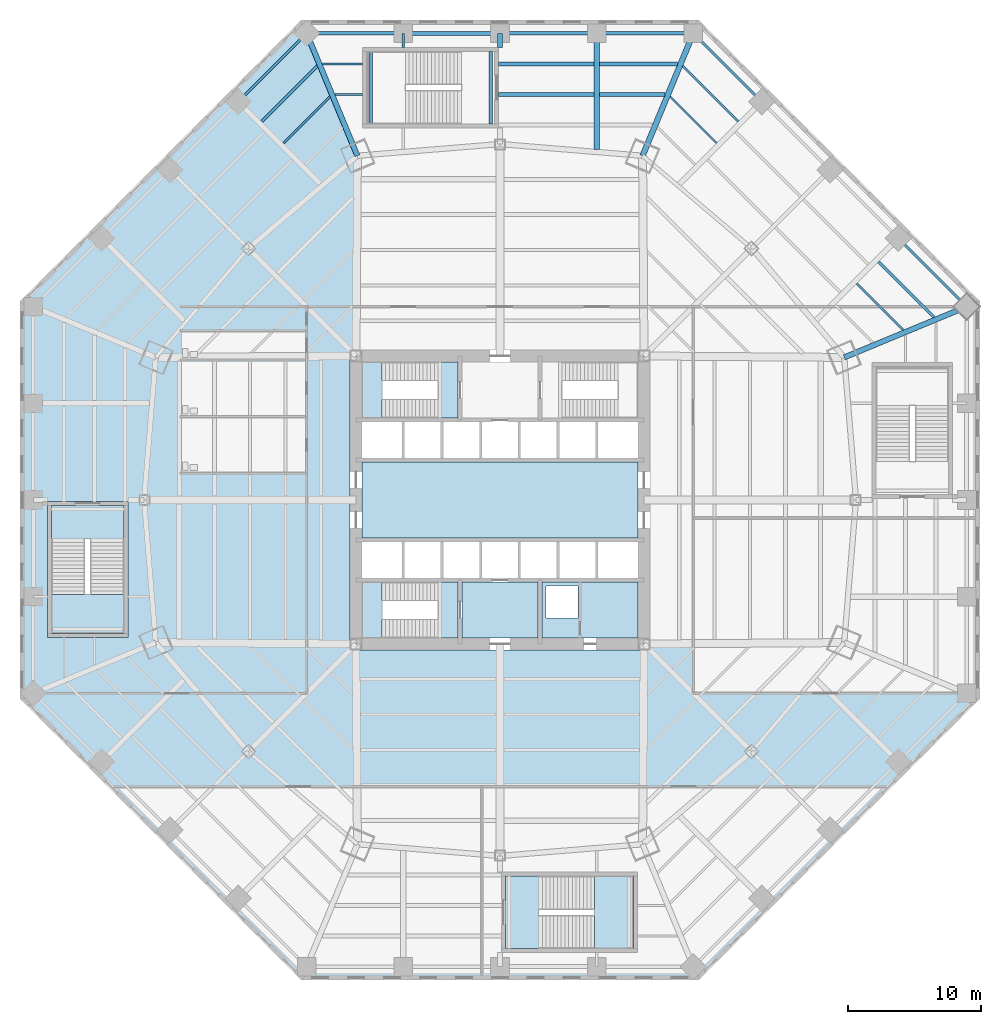
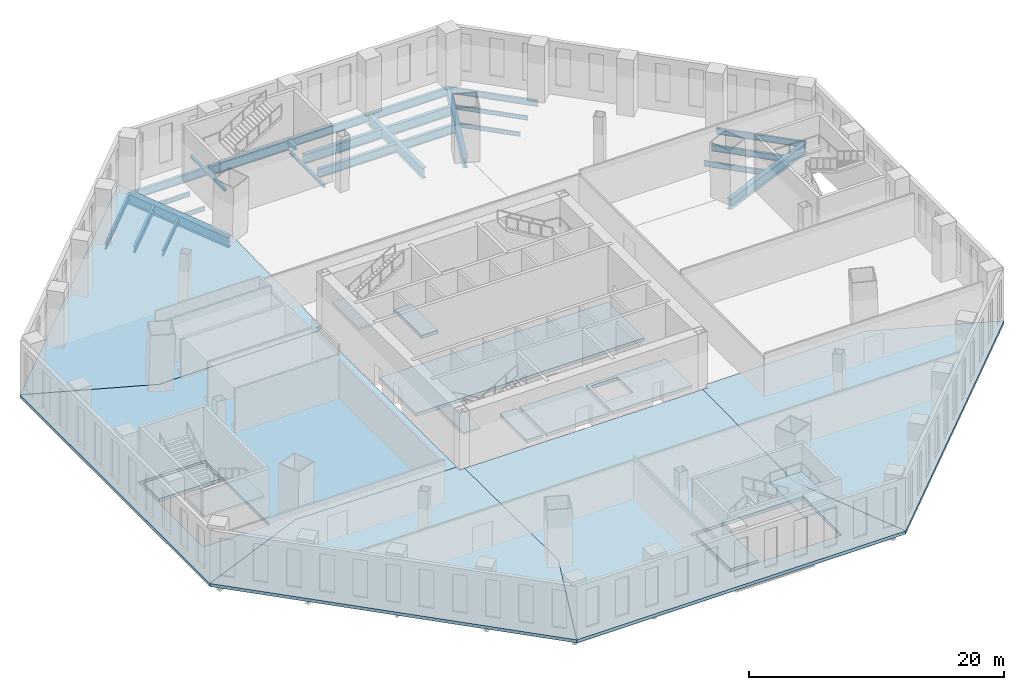
# One storey, part 6 of 18: 25 beams, 16 slabs, 2 members, 4 elements without a shape of their own.
"""IFC4 building model written with IfcOpenShell, lengths in metres."""

from ifc_helpers import new_model, si_unit, direction, frame, origin, origin_2d, place, context, subcontext, project, spatial, polyline, i_section, outline, extrude, source, transform, mapped, material, layer, layer_set, material_profile, profile_set, type_object, type_shapes, element, aggregate, save


model = new_model("IFC4")

# Units and contexts
model_context = context("Model", 3, precision=1e-05, world=origin(), true_north=direction((0.0, 1.0)))
body_context = subcontext(model_context, "Body", "Model", "MODEL_VIEW")
ifc_project = project(units=[si_unit("LENGTHUNIT", "METRE"), si_unit("AREAUNIT", "SQUARE_METRE"), si_unit("VOLUMEUNIT", "CUBIC_METRE"), si_unit("PLANEANGLEUNIT", "RADIAN"), si_unit("MASSUNIT", "GRAM", prefix="KILO")], contexts=[model_context])

# Site, building, storey
site_placement = place(None, origin())
site = spatial("IfcSite", under=ifc_project, at=site_placement, CompositionType="ELEMENT")
building_placement = place(site_placement, origin())
building = spatial("IfcBuilding", under=site, at=building_placement, Name="Mashrafa Tower", CompositionType="ELEMENT")
storey_placement = place(building_placement, frame((0.0, 0.0, 18.60009765625)))
storey = spatial("IfcBuildingStorey", under=building, at=storey_placement, Name="L03", CompositionType="ELEMENT", Elevation=18.60009765625)

# Beams
ifc_material_1 = material(Name="Steel ASTM A992", Category="steel")
ifc_material_profile_1 = material_profile(ifc_material_1, i_section(OverallWidth=0.140380859375, OverallDepth=0.40380859375, WebThickness=0.007080078125, FlangeThickness=0.01123046875, FilletRadius=0.01025390625, at=origin_2d()), Name="W16X31")
ifc_profile_set_1 = profile_set([ifc_material_profile_1], Name="Steel ASTM A992")
beam_type_1 = type_object("IfcBeamType", Name="Beam W16X31", PredefinedType="BEAM", material=ifc_profile_set_1)
beam_1_placement = place(storey_placement, frame((12.75634765625, 30.2490234375, -0.501953125), z_axis=(0.707106781187, -0.707106781187, 0.0), x_axis=(0.707106781187, 0.707106781187, 0.0)))
element("IfcBeam", 1, at=beam_1_placement, inside=storey, type_object=beam_type_1, Name="Floor beam L03 081", PredefinedType="BEAM", context=body_context, shape_type="SweptSolid", body=[
    extrude(i_section(OverallWidth=0.140380859375, OverallDepth=0.40380859375, WebThickness=0.007080078125, FlangeThickness=0.01123046875, FilletRadius=0.01025390625, at=origin_2d()), origin(), (0.0, 0.0, 1.0), 4.919677734375),
])
beam_2_placement = place(storey_placement, frame((13.70703125, 32.544189453125, -0.501953125), z_axis=(0.707127575081, -0.707085986681, 0.0), x_axis=(0.707085986681, 0.707127575081, 0.0)))
element("IfcBeam", 2, at=beam_2_placement, inside=storey, type_object=beam_type_1, Name="Floor beam L03 087", PredefinedType="BEAM", context=body_context, shape_type="SweptSolid", body=[
    extrude(i_section(OverallWidth=0.140380859375, OverallDepth=0.40380859375, WebThickness=0.007080078125, FlangeThickness=0.01123046875, FilletRadius=0.01025390625, at=origin_2d()), origin(), (0.0, 0.0, 1.0), 5.870361328125),
])
ifc_material_2 = material(Name="Steel ASTM A992", Category="steel")
ifc_material_profile_2 = material_profile(ifc_material_2, i_section(OverallWidth=0.177734375, OverallDepth=0.406494140625, WebThickness=0.0078125, FlangeThickness=0.012939453125, FilletRadius=0.01025390625, at=origin_2d()), Name="W16X40")
ifc_profile_set_2 = profile_set([ifc_material_profile_2], Name="Steel ASTM A992")
beam_type_2 = type_object("IfcBeamType", Name="Beam W16X40", PredefinedType="BEAM", material=ifc_profile_set_2)
beam_3_placement = place(storey_placement, frame((-13.32958984375, 32.70458984375, -0.50341796875), z_axis=(1.0, 0.0, 0.0), x_axis=(0.0, 1.0, 0.0)))
element("IfcBeam", 3, at=beam_3_placement, inside=storey, type_object=beam_type_2, Name="Floor beam L03 039", PredefinedType="BEAM", context=body_context, shape_type="SweptSolid", body=[
    extrude(i_section(OverallWidth=0.177734375, OverallDepth=0.406494140625, WebThickness=0.0078125, FlangeThickness=0.012939453125, FilletRadius=0.01025390625, at=origin_2d()), origin(), (0.0, 0.0, 1.0), 3.029541015625),
])
beam_4_placement = place(storey_placement, frame((-12.37890625, 30.409423828125, -0.50341796875), z_axis=(1.0, 0.0, 0.0), x_axis=(0.0, 1.0, 0.0)))
element("IfcBeam", 4, at=beam_4_placement, inside=storey, type_object=beam_type_2, Name="Floor beam L03 045", PredefinedType="BEAM", context=body_context, shape_type="SweptSolid", body=[
    extrude(i_section(OverallWidth=0.177734375, OverallDepth=0.406494140625, WebThickness=0.0078125, FlangeThickness=0.012939453125, FilletRadius=0.01025390625, at=origin_2d()), origin(), (0.0, 0.0, 1.0), 2.078857421875),
])
ifc_material_3 = material(Name="Steel ASTM A992", Category="steel")
ifc_material_profile_3 = material_profile(ifc_material_3, i_section(OverallWidth=0.165771484375, OverallDepth=0.5283203125, WebThickness=0.009765625, FlangeThickness=0.013671875, FilletRadius=0.012939453125, at=origin_2d()), Name="W21X50")
ifc_profile_set_3 = profile_set([ifc_material_profile_3], Name="Steel ASTM A992")
beam_type_3 = type_object("IfcBeamType", Name="Beam W21X50", PredefinedType="BEAM", material=ifc_profile_set_3)
for number, where, z_axis, x_axis, name in (
    (5, (-16.235107421875, 26.770263671875, -0.564208984375), (0.707106781187, 0.707106781187, 0.0), (-0.707106781187, 0.707106781187, 0.0), "Floor beam L03 030"),
    (6, (26.770263671875, 16.235107421875, -0.564208984375), (0.707106781187, -0.707106781187, 0.0), (0.707106781187, 0.707106781187, 0.0), "Floor beam L03 114"),
):
    element("IfcBeam", number, at=place(storey_placement, frame(where, z_axis=z_axis, x_axis=x_axis)), inside=storey, type_object=beam_type_3, Name=name, PredefinedType="BEAM", context=body_context, shape_type="SweptSolid", body=[
        extrude(i_section(OverallWidth=0.165771484375, OverallDepth=0.5283203125, WebThickness=0.009765625, FlangeThickness=0.013671875, FilletRadius=0.012939453125, at=origin_2d()), origin(), (0.0, 0.0, 1.0), 4.929443359375),
    ])
ifc_material_4 = material(Name="Steel ASTM A992", Category="steel")
ifc_material_profile_4 = material_profile(ifc_material_4, i_section(OverallWidth=0.177978515625, OverallDepth=0.599365234375, WebThickness=0.010009765625, FlangeThickness=0.012939453125, FilletRadius=0.012939453125, at=origin_2d()), Name="W24X55")
ifc_profile_set_4 = profile_set([ifc_material_profile_4], Name="Steel ASTM A992")
beam_type_4 = type_object("IfcBeamType", Name="Beam W24X55", PredefinedType="BEAM", material=ifc_profile_set_4)
for number, where, z_axis, x_axis, name in (
    (7, (-14.49755859375, 35.0, -0.599853515625), (-0.707106781187, -0.707106781187, 0.0), (0.707106781187, -0.707106781187, 0.0), "Podium edge beam L03 137"),
    (8, (19.623046875, 29.87451171875, -0.599853515625), (-0.707106781187, 0.707106781187, 0.0), (-0.707106781187, -0.707106781187, 0.0), "Podium edge beam L03 147"),
    (9, (35.0, 14.49755859375, -0.599853515625), (-0.707106781187, 0.707106781187, 0.0), (-0.707106781187, -0.707106781187, 0.0), "Podium edge beam L03 156"),
):
    element("IfcBeam", number, at=place(storey_placement, frame(where, z_axis=z_axis, x_axis=x_axis)), inside=storey, type_object=beam_type_4, Name=name, PredefinedType="BEAM", context=body_context, shape_type="SweptSolid", body=[
        extrude(i_section(OverallWidth=0.177978515625, OverallDepth=0.599365234375, WebThickness=0.010009765625, FlangeThickness=0.012939453125, FilletRadius=0.012939453125, at=origin_2d()), origin(), (0.0, 0.0, 1.0), 7.24853515625),
    ])
ifc_material_5 = material(Name="Steel ASTM A992", Category="steel")
ifc_material_profile_5 = material_profile(ifc_material_5, i_section(OverallWidth=0.227783203125, OverallDepth=0.60205078125, WebThickness=0.010498046875, FlangeThickness=0.014892578125, FilletRadius=0.012939453125, at=origin_2d()), Name="W24X68")
ifc_profile_set_5 = profile_set([ifc_material_profile_5], Name="Steel ASTM A992")
beam_type_5 = type_object("IfcBeamType", Name="Beam W24X68", PredefinedType="BEAM", material=ifc_profile_set_5)
for number, where, z_axis, x_axis, name in (
    (10, (-17.858154296875, 28.393310546875, -0.60107421875), (0.707127540894, 0.707086020869, 0.0), (-0.707086020869, 0.707127540894, 0.0), "Floor beam L03 026"),
    (11, (28.393310546875, 17.858154296875, -0.60107421875), (0.707086020869, -0.707127540894, 0.0), (0.707127540894, 0.707086020869, 0.0), "Floor beam L03 118"),
):
    element("IfcBeam", number, at=place(storey_placement, frame(where, z_axis=z_axis, x_axis=x_axis)), inside=storey, type_object=beam_type_5, Name=name, PredefinedType="BEAM", context=body_context, shape_type="SweptSolid", body=[
        extrude(i_section(OverallWidth=0.227783203125, OverallDepth=0.60205078125, WebThickness=0.010498046875, FlangeThickness=0.014892578125, FilletRadius=0.012939453125, at=origin_2d()), origin(), (0.0, 0.0, 1.0), 5.880126953125),
    ])
ifc_material_6 = material(Name="Steel ASTM A992", Category="steel")
ifc_material_profile_6 = material_profile(ifc_material_6, i_section(OverallWidth=0.2666015625, OverallDepth=0.75439453125, WebThickness=0.01318359375, FlangeThickness=0.01708984375, FilletRadius=0.0166015625, at=origin_2d()), Name="W30X99")
ifc_profile_set_6 = profile_set([ifc_material_profile_6], Name="Steel ASTM A992")
beam_type_6 = type_object("IfcBeamType", Name="Beam W30X99", PredefinedType="BEAM", material=ifc_profile_set_6)
for number, where, z_axis, x_axis, name in (
    (12, (-7.248779296875, 35.0, -0.67724609375), (-1.0, 0.0, 0.0), (0.0, -1.0, 0.0), "Podium edge beam L03 139"),
    (13, (7.248779296875, 35.0, -0.67724609375), (-1.0, 0.0, 0.0), (0.0, -1.0, 0.0), "Podium edge beam L03 143"),
    (14, (14.49755859375, 35.0, -0.67724609375), (-1.0, 0.0, 0.0), (0.0, -1.0, 0.0), "Podium edge beam L03 145"),
):
    element("IfcBeam", number, at=place(storey_placement, frame(where, z_axis=z_axis, x_axis=x_axis)), inside=storey, type_object=beam_type_6, Name=name, PredefinedType="BEAM", context=body_context, shape_type="SweptSolid", body=[
        extrude(i_section(OverallWidth=0.2666015625, OverallDepth=0.75439453125, WebThickness=0.01318359375, FlangeThickness=0.01708984375, FilletRadius=0.0166015625, at=origin_2d()), origin(), (0.0, 0.0, 1.0), 7.248779296875),
    ])
ifc_material_7 = material(Name="Steel ASTM A992", Category="steel")
ifc_material_profile_7 = material_profile(ifc_material_7, i_section(OverallWidth=0.2919921875, OverallDepth=0.8583984375, WebThickness=0.01708984375, FlangeThickness=0.031005859375, FilletRadius=0.017822265625, at=origin_2d()), Name="W33X169")
ifc_profile_set_7 = profile_set([ifc_material_profile_7], Name="Steel ASTM A992")
beam_type_7 = type_object("IfcBeamType", Name="Beam W33X169", PredefinedType="BEAM", material=ifc_profile_set_7)
beam_5_placement = place(storey_placement, frame((-0.10009765625, 30.409423828125, -0.729248046875), z_axis=(1.0, 0.0, 0.0), x_axis=(0.0, 1.0, 0.0)))
element("IfcBeam", 15, at=beam_5_placement, inside=storey, type_object=beam_type_7, Name="Floor beam L03 056 part 1", PredefinedType="BEAM", context=body_context, shape_type="SweptSolid", body=[
    extrude(i_section(OverallWidth=0.2919921875, OverallDepth=0.8583984375, WebThickness=0.01708984375, FlangeThickness=0.031005859375, FilletRadius=0.017822265625, at=origin_2d()), origin(), (0.0, 0.0, 1.0), 7.148193359375),
])
beam_6_placement = place(storey_placement, frame((7.449462890625, 30.409423828125, -0.729248046875), z_axis=(1.0, 0.0, 0.0), x_axis=(0.0, 1.0, 0.0)))
element("IfcBeam", 16, at=beam_6_placement, inside=storey, type_object=beam_type_7, Name="Floor beam L03 056 part 2", PredefinedType="BEAM", context=body_context, shape_type="SweptSolid", body=[
    extrude(i_section(OverallWidth=0.2919921875, OverallDepth=0.8583984375, WebThickness=0.01708984375, FlangeThickness=0.031005859375, FilletRadius=0.017822265625, at=origin_2d()), origin(), (0.0, 0.0, 1.0), 4.919677734375),
])
ifc_material_8 = material(Name="Steel ASTM A992", Category="steel")
ifc_material_profile_8 = material_profile(ifc_material_8, i_section(OverallWidth=0.3046875, OverallDepth=0.911865234375, WebThickness=0.015869140625, FlangeThickness=0.02392578125, FilletRadius=0.01904296875, at=origin_2d()), Name="W36X150")
ifc_profile_set_8 = profile_set([ifc_material_profile_8], Name="Steel ASTM A992")
beam_type_8 = type_object("IfcBeamType", Name="Beam W36X150", PredefinedType="BEAM", material=ifc_profile_set_8)
beam_7_placement = place(storey_placement, frame((0.0, 35.0, -0.756103515625), z_axis=(-1.0, 0.0, 0.0), x_axis=(0.0, -1.0, 0.0)))
element("IfcBeam", 17, at=beam_7_placement, inside=storey, type_object=beam_type_8, Name="Podium edge beam L03 141", PredefinedType="BEAM", context=body_context, shape_type="SweptSolid", body=[
    extrude(i_section(OverallWidth=0.3046875, OverallDepth=0.911865234375, WebThickness=0.015869140625, FlangeThickness=0.02392578125, FilletRadius=0.01904296875, at=origin_2d()), origin(), (0.0, 0.0, 1.0), 7.248779296875),
])
ifc_material_9 = material(Name="Steel ASTM A992", Category="steel")
ifc_material_profile_9 = material_profile(ifc_material_9, i_section(OverallWidth=0.307373046875, OverallDepth=0.927001953125, WebThickness=0.01953125, FlangeThickness=0.031982421875, FilletRadius=0.01904296875, at=origin_2d()), Name="W36X194")
ifc_profile_set_9 = profile_set([ifc_material_profile_9], Name="Steel ASTM A992")
beam_type_9 = type_object("IfcBeamType", Name="Beam W36X194", PredefinedType="BEAM", material=ifc_profile_set_9)
beam_8_placement = place(storey_placement, frame((-0.10009765625, 32.70458984375, -0.763671875), z_axis=(1.0, 0.0, 0.0), x_axis=(0.0, 1.0, 0.0)))
element("IfcBeam", 18, at=beam_8_placement, inside=storey, type_object=beam_type_9, Name="Floor beam L03 057 part 1", PredefinedType="BEAM", context=body_context, shape_type="SweptSolid", body=[
    extrude(i_section(OverallWidth=0.307373046875, OverallDepth=0.927001953125, WebThickness=0.01953125, FlangeThickness=0.031982421875, FilletRadius=0.01904296875, at=origin_2d()), origin(), (0.0, 0.0, 1.0), 7.148193359375),
])
beam_9_placement = place(storey_placement, frame((7.449462890625, 32.70458984375, -0.763671875), z_axis=(1.0, 0.0, 0.0), x_axis=(0.0, 1.0, 0.0)))
element("IfcBeam", 19, at=beam_9_placement, inside=storey, type_object=beam_type_9, Name="Floor beam L03 057 part 2", PredefinedType="BEAM", context=body_context, shape_type="SweptSolid", body=[
    extrude(i_section(OverallWidth=0.307373046875, OverallDepth=0.927001953125, WebThickness=0.01953125, FlangeThickness=0.031982421875, FilletRadius=0.01904296875, at=origin_2d()), origin(), (0.0, 0.0, 1.0), 5.87060546875),
])
ifc_material_10 = material(Name="Steel ASTM A992", Category="steel")
ifc_material_profile_10 = material_profile(ifc_material_10, i_section(OverallWidth=0.419189453125, OverallDepth=0.927001953125, WebThickness=0.019287109375, FlangeThickness=0.031982421875, FilletRadius=0.020263671875, at=origin_2d()), Name="W36X231")
ifc_profile_set_10 = profile_set([ifc_material_profile_10], Name="Steel ASTM A992")
beam_type_10 = type_object("IfcBeamType", Name="Beam W36X231", PredefinedType="BEAM", material=ifc_profile_set_10)
beam_10_placement = place(storey_placement, frame((10.694580078125, 25.81884765625, -0.763671875), z_axis=(0.382685210022, 0.92387879618, 0.0), x_axis=(-0.92387879618, 0.382685210022, 0.0)))
element("IfcBeam", 20, at=beam_10_placement, inside=storey, type_object=beam_type_10, Name="Podium radial beam L03 183", PredefinedType="BEAM", context=body_context, shape_type="SweptSolid", body=[
    extrude(i_section(OverallWidth=0.419189453125, OverallDepth=0.927001953125, WebThickness=0.019287109375, FlangeThickness=0.031982421875, FilletRadius=0.020263671875, at=origin_2d()), origin(), (0.0, 0.0, 1.0), 9.9375),
])
ifc_material_11 = material(Name="Steel ASTM A992", Category="steel")
ifc_material_profile_11 = material_profile(ifc_material_11, i_section(OverallWidth=0.4013671875, OverallDepth=0.98291015625, WebThickness=0.0166015625, FlangeThickness=0.027099609375, FilletRadius=0.0126953125, at=origin_2d()), Name="W40X199")
ifc_profile_set_11 = profile_set([ifc_material_profile_11], Name="Steel ASTM A992")
beam_type_11 = type_object("IfcBeamType", Name="Beam W40X199", PredefinedType="BEAM", material=ifc_profile_set_11)
beam_11_placement = place(storey_placement, frame((7.248779296875, 26.302978515625, -0.79150390625), z_axis=(0.0, 1.0, 0.0), x_axis=(-1.0, 0.0, 0.0)))
element("IfcBeam", 21, at=beam_11_placement, inside=storey, type_object=beam_type_11, Name="Podium radial beam L03 181", PredefinedType="BEAM", context=body_context, shape_type="SweptSolid", body=[
    extrude(i_section(OverallWidth=0.4013671875, OverallDepth=0.98291015625, WebThickness=0.0166015625, FlangeThickness=0.027099609375, FilletRadius=0.0126953125, at=origin_2d()), origin(), (0.0, 0.0, 1.0), 8.697021484375),
])
ifc_material_12 = material(Name="Steel ASTM A992", Category="steel")
ifc_material_profile_12 = material_profile(ifc_material_12, i_section(OverallWidth=0.4013671875, OverallDepth=1.010986328125, WebThickness=0.023681640625, FlangeThickness=0.0419921875, FilletRadius=0.02001953125, at=origin_2d()), Name="W40X297")
ifc_profile_set_12 = profile_set([ifc_material_profile_12], Name="Steel ASTM A992")
beam_type_12 = type_object("IfcBeamType", Name="Beam W40X297", PredefinedType="BEAM", material=ifc_profile_set_12)
for number, where, z_axis, x_axis, name in (
    (22, (-10.694580078125, 25.81884765625, -0.8056640625), (-0.382685210022, 0.92387879618, 0.0), (-0.92387879618, -0.382685210022, 0.0), "Podium radial beam L03 171"),
    (23, (25.81884765625, 10.694580078125, -0.8056640625), (0.92387879618, 0.382685210022, 0.0), (-0.382685210022, 0.92387879618, 0.0), "Podium radial beam L03 191"),
):
    element("IfcBeam", number, at=place(storey_placement, frame(where, z_axis=z_axis, x_axis=x_axis)), inside=storey, type_object=beam_type_12, Name=name, PredefinedType="BEAM", context=body_context, shape_type="SweptSolid", body=[
        extrude(i_section(OverallWidth=0.4013671875, OverallDepth=1.010986328125, WebThickness=0.023681640625, FlangeThickness=0.0419921875, FilletRadius=0.02001953125, at=origin_2d()), origin(), (0.0, 0.0, 1.0), 9.9375),
    ])
ifc_material_13 = material(Name="Steel ASTM A992", Category="steel")
ifc_material_profile_13 = material_profile(ifc_material_13, i_section(OverallWidth=0.25390625, OverallDepth=0.25390625, WebThickness=0.008544921875, FlangeThickness=0.01416015625, FilletRadius=0.010009765625, at=origin_2d()), Name="W10X49")
ifc_profile_set_13 = profile_set([ifc_material_profile_13], Name="Steel ASTM A992")
beam_type_13 = type_object("IfcBeamType", Name="Hoistway beam W10X49", PredefinedType="BEAM", material=ifc_profile_set_13)
for number, where, z_axis, x_axis, name in (
    (24, (-0.699951171875, 28.199951171875, -0.427001953125), (0.0, 1.0, 0.0), (-1.0, 0.0, 0.0), "Stair P2 landing beam L03"),
    (25, (-9.699951171875, 28.199951171875, 2.372802734375), (0.0, 1.0, 0.0), (-1.0, 0.0, 0.0), "Stair P2 landing beam L03"),
):
    element("IfcBeam", number, at=place(storey_placement, frame(where, z_axis=z_axis, x_axis=x_axis)), inside=storey, type_object=beam_type_13, Name=name, PredefinedType="BEAM", context=body_context, shape_type="SweptSolid", body=[
        extrude(i_section(OverallWidth=0.25390625, OverallDepth=0.25390625, WebThickness=0.008544921875, FlangeThickness=0.01416015625, FilletRadius=0.010009765625, at=origin_2d()), origin(), (0.0, 0.0, 1.0), 5.449951171875),
    ])

# Members
ifc_material_14 = material(Name="Steel ASTM A992", Category="steel")
ifc_material_profile_14 = material_profile(ifc_material_14, i_section(OverallWidth=0.177978515625, OverallDepth=0.599365234375, WebThickness=0.010009765625, FlangeThickness=0.012939453125, FilletRadius=0.012939453125, at=origin_2d()), Name="W24X55")
ifc_profile_set_14 = profile_set([ifc_material_profile_14], Name="Steel ASTM A992")
member_type_1 = type_object("IfcMemberType", Name="Tie strut W24X55", PredefinedType="STRUT", material=ifc_profile_set_14)
shared_shape_1 = source(origin(), body_context, "Body", "SweptSolid", [
    extrude(i_section(OverallWidth=0.177978515625, OverallDepth=0.599365234375, WebThickness=0.010009765625, FlangeThickness=0.012939453125, FilletRadius=0.012939453125, at=origin_2d()), origin(), (0.0, 0.0, 1.0), 1.050048828125),
])
type_shapes(member_type_1, [shared_shape_1])
member_1_placement = place(storey_placement, frame((-7.248779296875, 33.949951171875, -0.599853515625), z_axis=(0.0, 1.0, 0.0), x_axis=(-1.0, 0.0, 0.0)))
element("IfcMember", 26, at=member_1_placement, inside=storey, type_object=member_type_1, Name="Tie strut L03 174", PredefinedType="STRUT", context=body_context, shape_type="MappedRepresentation", body=[
    mapped(shared_shape_1, transform((0.0, 0.0, 0.0))),
])
ifc_material_15 = material(Name="Steel ASTM A992", Category="steel")
ifc_material_profile_15 = material_profile(ifc_material_15, i_section(OverallWidth=0.368408203125, OverallDepth=0.355712890625, WebThickness=0.01123046875, FlangeThickness=0.01806640625, FilletRadius=0.01513671875, at=origin_2d()), Name="W14X90")
ifc_profile_set_15 = profile_set([ifc_material_profile_15], Name="Steel ASTM A992")
member_type_2 = type_object("IfcMemberType", Name="Tie strut W14X90", PredefinedType="STRUT", material=ifc_profile_set_15)
shared_shape_2 = source(origin(), body_context, "Body", "SweptSolid", [
    extrude(i_section(OverallWidth=0.368408203125, OverallDepth=0.355712890625, WebThickness=0.01123046875, FlangeThickness=0.01806640625, FilletRadius=0.01513671875, at=origin_2d()), origin(), (0.0, 0.0, 1.0), 1.050048828125),
])
type_shapes(member_type_2, [shared_shape_2])
member_2_placement = place(storey_placement, frame((0.0, 33.949951171875, -0.477783203125), z_axis=(0.0, 1.0, 0.0), x_axis=(-1.0, 0.0, 0.0)))
element("IfcMember", 27, at=member_2_placement, inside=storey, type_object=member_type_2, Name="Tie strut L03 178", PredefinedType="STRUT", context=body_context, shape_type="MappedRepresentation", body=[
    mapped(shared_shape_2, transform((0.0, 0.0, 0.0))),
])

# Slabs
ifc_material_16 = material(Name="Concrete C35/45", Category="concrete")
ifc_layer_1 = layer(ifc_material_16, 0.300048828125)
ifc_layer_set_1 = layer_set([ifc_layer_1], Name="Floor slab 300")
slab_type_1 = type_object("IfcSlabType", Name="Floor slab 300", PredefinedType="FLOOR", material=ifc_layer_set_1)
slab_1_placement = place(storey_placement, frame((0.0, 0.0, -0.300048828125)))
element("IfcSlab", 28, at=slab_1_placement, inside=storey, type_object=slab_type_1, Name="Floor slab L03 north-west bay", PredefinedType="FLOOR", context=body_context, shape_type="SweptSolid", body=[
    extrude(outline(polyline([(-14.91162109375, 36.0), (-14.49755859375, 35.0), (-10.694580078125, 25.81884765625), (-10.796875, 11.25), (-11.25, 11.25), (-11.25, 10.796875), (-25.81884765625, 10.694580078125), (-35.0, 14.49755859375), (-36.0, 14.91162109375), (-14.91162109375, 36.0)])), origin(), (0.0, 0.0, 1.0), 0.300048828125),
])
slab_2_placement = place(storey_placement, frame((0.0, 0.0, -0.300048828125)))
element("IfcSlab", 29, at=slab_2_placement, inside=storey, type_object=slab_type_1, Name="Floor slab L03 west bay", PredefinedType="FLOOR", context=body_context, shape_type="SweptSolid", body=[
    extrude(outline(polyline([(-36.0, -14.91162109375), (-36.0, 14.91162109375), (-36.0, 14.91162109375), (-35.0, 14.49755859375), (-25.81884765625, 10.694580078125), (-11.25, 10.796875), (-11.25, -10.796875), (-25.81884765625, -10.694580078125), (-35.0, -14.49755859375), (-36.0, -14.91162109375), (-36.0, -14.91162109375)]), holes=[polyline([(-27.89990234375, -10.300048828125), (-27.89990234375, -0.10009765625), (-33.949951171875, -0.10009765625), (-33.949951171875, -10.300048828125), (-27.89990234375, -10.300048828125)])]), origin(), (0.0, 0.0, 1.0), 0.300048828125),
])
slab_3_placement = place(storey_placement, frame((0.0, 0.0, -0.300048828125)))
element("IfcSlab", 30, at=slab_3_placement, inside=storey, type_object=slab_type_1, Name="Floor slab L03 south-west bay", PredefinedType="FLOOR", context=body_context, shape_type="SweptSolid", body=[
    extrude(outline(polyline([(-36.0, -14.91162109375), (-35.0, -14.49755859375), (-25.81884765625, -10.694580078125), (-11.25, -10.796875), (-11.25, -11.25), (-10.796875, -11.25), (-10.694580078125, -25.81884765625), (-14.49755859375, -35.0), (-14.91162109375, -36.0), (-36.0, -14.91162109375)])), origin(), (0.0, 0.0, 1.0), 0.300048828125),
])
slab_4_placement = place(storey_placement, frame((0.0, 0.0, -0.300048828125)))
element("IfcSlab", 31, at=slab_4_placement, inside=storey, type_object=slab_type_1, Name="Floor slab L03 south bay", PredefinedType="FLOOR", context=body_context, shape_type="SweptSolid", body=[
    extrude(outline(polyline([(-14.91162109375, -36.0), (-14.91162109375, -36.0), (-14.49755859375, -35.0), (-10.694580078125, -25.81884765625), (-10.796875, -11.25), (10.796875, -11.25), (10.694580078125, -25.81884765625), (14.49755859375, -35.0), (14.91162109375, -36.0), (14.91162109375, -36.0), (-14.91162109375, -36.0)]), holes=[polyline([(10.300048828125, -33.949951171875), (10.300048828125, -27.89990234375), (0.10009765625, -27.89990234375), (0.10009765625, -33.949951171875), (10.300048828125, -33.949951171875)])]), origin(), (0.0, 0.0, 1.0), 0.300048828125),
])
slab_5_placement = place(storey_placement, frame((0.0, 0.0, -0.300048828125)))
element("IfcSlab", 32, at=slab_5_placement, inside=storey, type_object=slab_type_1, Name="Floor slab L03 south-east bay", PredefinedType="FLOOR", context=body_context, shape_type="SweptSolid", body=[
    extrude(outline(polyline([(14.91162109375, -36.0), (14.49755859375, -35.0), (10.694580078125, -25.81884765625), (10.796875, -11.25), (11.25, -11.25), (11.25, -10.796875), (25.81884765625, -10.694580078125), (35.0, -14.49755859375), (36.0, -14.91162109375), (14.91162109375, -36.0)])), origin(), (0.0, 0.0, 1.0), 0.300048828125),
])
slab_6_placement = place(storey_placement, frame((0.0, 0.0, -0.300048828125)))
element("IfcSlab", 33, at=slab_6_placement, inside=storey, type_object=slab_type_1, Name="Core floor lift hall L03", PredefinedType="FLOOR", context=body_context, shape_type="SweptSolid", body=[
    extrude(outline(polyline([(-10.35009765625, 2.85009765625), (10.35009765625, 2.85009765625), (10.35009765625, -2.85009765625), (-10.35009765625, -2.85009765625), (-10.35009765625, 2.85009765625)])), origin(), (0.0, 0.0, 1.0), 0.300048828125),
])
slab_7_placement = place(storey_placement, frame((0.0, 0.0, -0.300048828125)))
element("IfcSlab", 34, at=slab_7_placement, inside=storey, type_object=slab_type_1, Name="Core floor riser and electrical band L03", PredefinedType="FLOOR", context=body_context, shape_type="SweptSolid", body=[
    extrude(outline(polyline([(10.35009765625, -6.14990234375), (10.35009765625, -10.35009765625), (3.14990234375, -10.35009765625), (3.14990234375, -6.14990234375), (10.35009765625, -6.14990234375)]), holes=[polyline([(3.449951171875, -8.85009765625), (5.85009765625, -8.85009765625), (5.85009765625, -6.449951171875), (3.449951171875, -6.449951171875), (3.449951171875, -8.85009765625)])]), origin(), (0.0, 0.0, 1.0), 0.300048828125),
])
slab_8_placement = place(storey_placement, frame((0.0, 0.0, -0.300048828125)))
element("IfcSlab", 35, at=slab_8_placement, inside=storey, type_object=slab_type_1, Name="Core floor fire-fighting lobby south L03", PredefinedType="FLOOR", context=body_context, shape_type="SweptSolid", body=[
    extrude(outline(polyline([(2.85009765625, -6.14990234375), (2.85009765625, -10.35009765625), (-2.85009765625, -10.35009765625), (-2.85009765625, -6.14990234375), (2.85009765625, -6.14990234375)])), origin(), (0.0, 0.0, 1.0), 0.300048828125),
])

# Stair, slab
ifc_material_17 = material(Name="Exit stair 1400")
stair_type_1 = type_object("IfcStairType", Name="Exit stair 1400", PredefinedType="HALF_TURN_STAIR", material=ifc_material_17)
stair_1_placement = place(storey_placement, origin())
stair_1 = element("IfcStair", 36, at=stair_1_placement, inside=storey, type_object=stair_type_1, Name="Stair S1 L03", PredefinedType="HALF_TURN_STAIR")
ifc_material_18 = material(Name="Concrete C32/40", Category="concrete")
ifc_layer_2 = layer(ifc_material_18, 0.199951171875)
ifc_layer_set_2 = layer_set([ifc_layer_2], Name="Stair landing 200")
slab_type_2 = type_object("IfcSlabType", Name="Stair landing 200", PredefinedType="LANDING", material=ifc_layer_set_2)
slab_9_placement = place(storey_placement, frame((0.0, 0.0, 2.5)))
slab_9 = element("IfcSlab", 37, at=slab_9_placement, type_object=slab_type_2, Name="S1 landing 2", PredefinedType="LANDING", context=body_context, shape_type="SweptSolid", body=[
    extrude(outline(polyline([(-10.35009765625, 6.14990234375), (-8.840087890625, 6.14990234375), (-8.840087890625, 10.35009765625), (-10.35009765625, 10.35009765625), (-10.35009765625, 6.14990234375)])), origin(), (0.0, 0.0, 1.0), 0.199951171875),
])

stair_2_placement = place(storey_placement, origin())
stair_2 = element("IfcStair", 38, at=stair_2_placement, inside=storey, type_object=stair_type_1, Name="Stair S3 L03", PredefinedType="HALF_TURN_STAIR")
slab_10_placement = place(storey_placement, frame((0.0, 0.0, 2.5)))
slab_10 = element("IfcSlab", 39, at=slab_10_placement, type_object=slab_type_2, Name="S3 landing 2", PredefinedType="LANDING", context=body_context, shape_type="SweptSolid", body=[
    extrude(outline(polyline([(-10.35009765625, -10.35009765625), (-8.840087890625, -10.35009765625), (-8.840087890625, -6.14990234375), (-10.35009765625, -6.14990234375), (-10.35009765625, -10.35009765625)])), origin(), (0.0, 0.0, 1.0), 0.199951171875),
])

ifc_material_19 = material(Name="Exit stair 2500")
stair_type_2 = type_object("IfcStairType", Name="Exit stair 2500", PredefinedType="HALF_TURN_STAIR", material=ifc_material_19)
stair_3_placement = place(storey_placement, origin())
stair_3 = element("IfcStair", 40, at=stair_3_placement, inside=storey, type_object=stair_type_2, Name="Stair P3 L03", PredefinedType="HALF_TURN_STAIR")
slab_11_placement = place(storey_placement, frame((0.0, 0.0, 2.5)))
slab_11 = element("IfcSlab", 41, at=slab_11_placement, type_object=slab_type_2, Name="P3 landing 2", PredefinedType="LANDING", context=body_context, shape_type="SweptSolid", body=[
    extrude(outline(polyline([(-28.199951171875, -10.0), (-28.199951171875, -7.090087890625), (-33.64990234375, -7.090087890625), (-33.64990234375, -10.0), (-28.199951171875, -10.0)])), origin(), (0.0, 0.0, 1.0), 0.199951171875),
])

stair_4_placement = place(storey_placement, origin())
stair_4 = element("IfcStair", 42, at=stair_4_placement, inside=storey, type_object=stair_type_2, Name="Stair P4 L03", PredefinedType="HALF_TURN_STAIR")
slab_12_placement = place(storey_placement, frame((0.0, 0.0, 2.5)))
slab_12 = element("IfcSlab", 43, at=slab_12_placement, type_object=slab_type_2, Name="P4 landing 2", PredefinedType="LANDING", context=body_context, shape_type="SweptSolid", body=[
    extrude(outline(polyline([(7.090087890625, -33.64990234375), (10.0, -33.64990234375), (10.0, -28.199951171875), (7.090087890625, -28.199951171875), (7.090087890625, -33.64990234375)])), origin(), (0.0, 0.0, 1.0), 0.199951171875),
])

# Slab
ifc_material_20 = material(Name="Concrete C32/40", Category="concrete")
ifc_layer_3 = layer(ifc_material_20, 0.300048828125)
ifc_layer_set_3 = layer_set([ifc_layer_3], Name="Stair landing 300")
slab_type_3 = type_object("IfcSlabType", Name="Stair landing 300", PredefinedType="LANDING", material=ifc_layer_set_3)
slab_13_placement = place(storey_placement, frame((0.0, 0.0, -0.300048828125)))
slab_13 = element("IfcSlab", 44, at=slab_13_placement, type_object=slab_type_3, Name="S1 landing 1", PredefinedType="LANDING", context=body_context, shape_type="SweptSolid", body=[
    extrude(outline(polyline([(-4.659912109375, 6.14990234375), (-3.14990234375, 6.14990234375), (-3.14990234375, 10.35009765625), (-4.659912109375, 10.35009765625), (-4.659912109375, 6.14990234375)])), origin(), (0.0, 0.0, 1.0), 0.300048828125),
])

aggregate(stair_1, [slab_13, slab_9])

slab_14_placement = place(storey_placement, frame((0.0, 0.0, -0.300048828125)))
slab_14 = element("IfcSlab", 45, at=slab_14_placement, type_object=slab_type_3, Name="S3 landing 1", PredefinedType="LANDING", context=body_context, shape_type="SweptSolid", body=[
    extrude(outline(polyline([(-4.659912109375, -10.35009765625), (-3.14990234375, -10.35009765625), (-3.14990234375, -6.14990234375), (-4.659912109375, -6.14990234375), (-4.659912109375, -10.35009765625)])), origin(), (0.0, 0.0, 1.0), 0.300048828125),
])

aggregate(stair_2, [slab_14, slab_10])

slab_15_placement = place(storey_placement, frame((0.0, 0.0, -0.300048828125)))
slab_15 = element("IfcSlab", 46, at=slab_15_placement, type_object=slab_type_3, Name="P3 landing 1", PredefinedType="LANDING", context=body_context, shape_type="SweptSolid", body=[
    extrude(outline(polyline([(-28.199951171875, -2.909912109375), (-28.199951171875, -0.39990234375), (-33.64990234375, -0.39990234375), (-33.64990234375, -2.909912109375), (-28.199951171875, -2.909912109375)])), origin(), (0.0, 0.0, 1.0), 0.300048828125),
])

aggregate(stair_3, [slab_15, slab_11])

slab_16_placement = place(storey_placement, frame((0.0, 0.0, -0.300048828125)))
slab_16 = element("IfcSlab", 47, at=slab_16_placement, type_object=slab_type_3, Name="P4 landing 1", PredefinedType="LANDING", context=body_context, shape_type="SweptSolid", body=[
    extrude(outline(polyline([(0.39990234375, -33.64990234375), (2.909912109375, -33.64990234375), (2.909912109375, -28.199951171875), (0.39990234375, -28.199951171875), (0.39990234375, -33.64990234375)])), origin(), (0.0, 0.0, 1.0), 0.300048828125),
])

aggregate(stair_4, [slab_16, slab_12])

save(model, "model.ifc")
